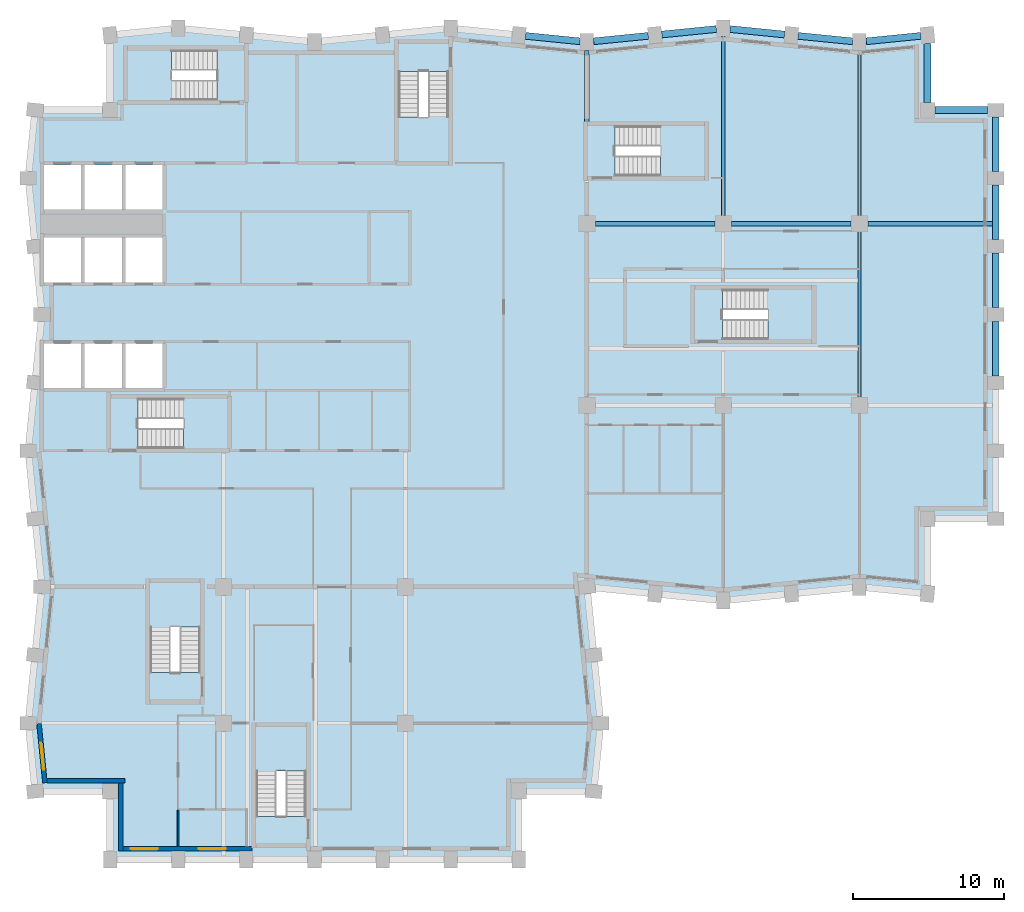
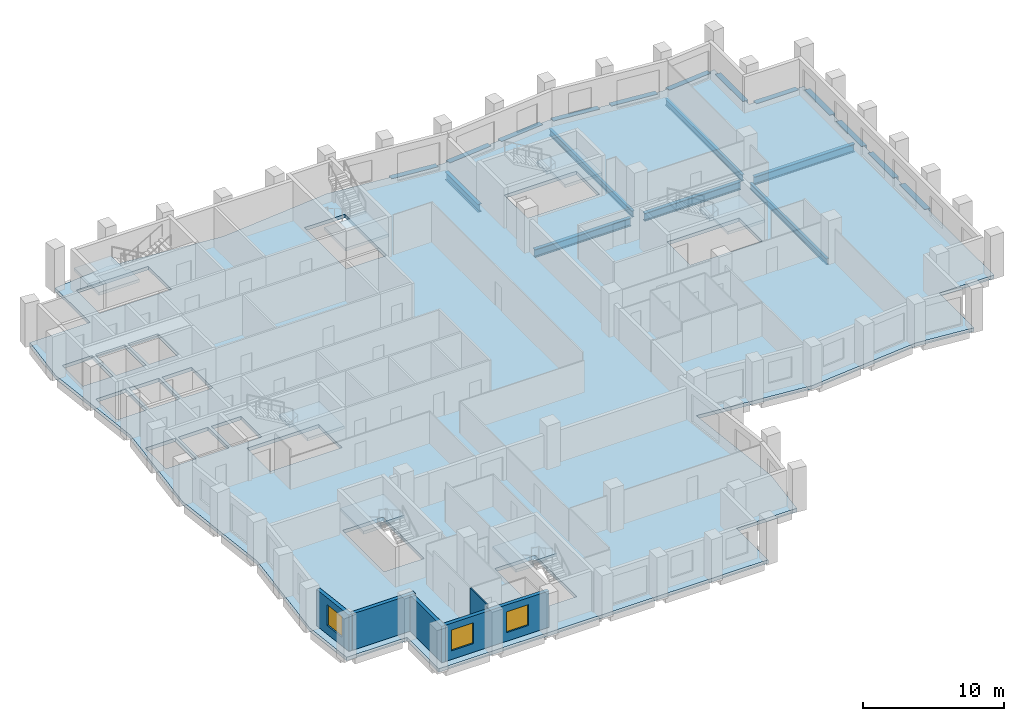
# One storey, part 2 of 10: 19 beams, 8 slabs, 5 walls, 3 windows, 3 openings, 7 elements without a shape of their own.
"""IFC4 building model written with IfcOpenShell, lengths in metres."""

from ifc_helpers import new_model, si_unit, direction, frame, frame_2d, origin, origin_2d, place, context, subcontext, project, spatial, polyline, rectangle, i_section, outline, extrude, material, layer, layer_set, material_profile, profile_set, type_object, element, fill, aggregate, save


model = new_model("IFC4")

# Units and contexts
model_context = context("Model", 3, precision=1e-05, world=origin(), true_north=direction((0.0, 1.0)))
body_context = subcontext(model_context, "Body", "Model", "MODEL_VIEW")
ifc_project = project(units=[si_unit("LENGTHUNIT", "METRE"), si_unit("AREAUNIT", "SQUARE_METRE"), si_unit("VOLUMEUNIT", "CUBIC_METRE"), si_unit("PLANEANGLEUNIT", "RADIAN"), si_unit("MASSUNIT", "GRAM", prefix="KILO")], contexts=[model_context])

# Site, building, storey
site_placement = place(None, origin())
site = spatial("IfcSite", under=ifc_project, at=site_placement, CompositionType="ELEMENT")
building_placement = place(site_placement, origin())
building = spatial("IfcBuilding", under=site, at=building_placement, Name="Brondeck Convention Tower", CompositionType="ELEMENT")
storey_placement = place(building_placement, frame((0.0, 0.0, 151.0)))
storey = spatial("IfcBuildingStorey", under=building, at=storey_placement, Name="L36", CompositionType="ELEMENT", Elevation=151.0)

# Beams
ifc_material_1 = material(Name="Steel S355", Category="steel")
ifc_material_profile_1 = material_profile(ifc_material_1, i_section(OverallWidth=0.2099609375, OverallDepth=0.550048828125, WebThickness=0.010986328125, FlangeThickness=0.01708984375, FilletRadius=0.02392578125, at=origin_2d()), Name="IPE 550")
ifc_profile_set_1 = profile_set([ifc_material_profile_1], Name="Steel S355")
beam_type_1 = type_object("IfcBeamType", Name="Floor beam IPE 550", PredefinedType="BEAM", material=ifc_profile_set_1)
beam_1_placement = place(storey_placement, frame((45.0, 51.550048828125, -0.574951171875), z_axis=(0.0, 1.0, 0.0), x_axis=(-1.0, 0.0, 0.0)))
element("IfcBeam", 1, at=beam_1_placement, inside=storey, type_object=beam_type_1, Name="STR-FB-L36-002", PredefinedType="BEAM", context=body_context, shape_type="SweptSolid", body=[
    extrude(i_section(OverallWidth=0.2099609375, OverallDepth=0.550048828125, WebThickness=0.010986328125, FlangeThickness=0.01708984375, FilletRadius=0.02392578125, at=origin_2d()), origin(), (0.0, 0.0, 1.0), 11.800048828125),
])
for number, where, z_axis, x_axis, name in (
    (2, (54.0, 39.550048828125, -0.574951171875), (0.0, 1.0, 0.0), (-1.0, 0.0, 0.0), "STR-FB-L36-004"),
    (3, (54.0, 51.550048828125, -0.574951171875), (0.0, 1.0, 0.0), (-1.0, 0.0, 0.0), "STR-FB-L36-005"),
):
    element("IfcBeam", number, at=place(storey_placement, frame(where, z_axis=z_axis, x_axis=x_axis)), inside=storey, type_object=beam_type_1, Name=name, PredefinedType="BEAM", context=body_context, shape_type="SweptSolid", body=[
        extrude(i_section(OverallWidth=0.2099609375, OverallDepth=0.550048828125, WebThickness=0.010986328125, FlangeThickness=0.01708984375, FilletRadius=0.02392578125, at=origin_2d()), origin(), (0.0, 0.0, 1.0), 10.89990234375),
    ])
ifc_material_profile_2 = material_profile(ifc_material_1, i_section(OverallWidth=0.300048828125, OverallDepth=0.699951171875, WebThickness=0.01708984375, FlangeThickness=0.031982421875, FilletRadius=0.027099609375, at=origin_2d()), Name="HEB 700")
ifc_profile_set_2 = profile_set([ifc_material_profile_2], Name="Steel S355")
beam_type_2 = type_object("IfcBeamType", Name="Girder HEB 700", PredefinedType="BEAM", material=ifc_profile_set_2)
for number, where, z_axis, x_axis, name in (
    (4, (36.550048828125, 51.0, -0.64990234375), (1.0, 0.0, 0.0), (0.0, 1.0, 0.0), "STR-GR-L36-004"),
    (5, (45.550048828125, 51.0, -0.64990234375), (1.0, 0.0, 0.0), (0.0, 1.0, 0.0), "STR-GR-L36-005"),
):
    element("IfcBeam", number, at=place(storey_placement, frame(where, z_axis=z_axis, x_axis=x_axis)), inside=storey, type_object=beam_type_2, Name=name, PredefinedType="BEAM", context=body_context, shape_type="SweptSolid", body=[
        extrude(i_section(OverallWidth=0.300048828125, OverallDepth=0.699951171875, WebThickness=0.01708984375, FlangeThickness=0.031982421875, FilletRadius=0.027099609375, at=origin_2d()), origin(), (0.0, 0.0, 1.0), 7.89990234375),
    ])
beam_2_placement = place(storey_placement, frame((54.550048828125, 51.0, -0.64990234375), z_axis=(1.0, 0.0, 0.0), x_axis=(0.0, 1.0, 0.0)))
element("IfcBeam", 6, at=beam_2_placement, inside=storey, type_object=beam_type_2, Name="STR-GR-L36-006", PredefinedType="BEAM", context=body_context, shape_type="SweptSolid", body=[
    extrude(i_section(OverallWidth=0.300048828125, OverallDepth=0.699951171875, WebThickness=0.01708984375, FlangeThickness=0.031982421875, FilletRadius=0.027099609375, at=origin_2d()), origin(), (0.0, 0.0, 1.0), 8.224853515625),
])
beam_3_placement = place(storey_placement, frame((36.0, 57.719970703125, -0.64990234375), z_axis=(0.0, 1.0, 0.0), x_axis=(-1.0, 0.0, 0.0)))
element("IfcBeam", 7, at=beam_3_placement, inside=storey, type_object=beam_type_2, Name="STR-GR-L36-010", PredefinedType="BEAM", context=body_context, shape_type="SweptSolid", body=[
    extrude(i_section(OverallWidth=0.300048828125, OverallDepth=0.699951171875, WebThickness=0.01708984375, FlangeThickness=0.031982421875, FilletRadius=0.027099609375, at=origin_2d()), origin(), (0.0, 0.0, 1.0), 4.72998046875),
])
ifc_material_2 = material(Name="Concrete C70/85", Category="concrete")
ifc_material_profile_3 = material_profile(ifc_material_2, rectangle(XDim=0.449951171875, YDim=0.64990234375, at=origin_2d()), Name="Precast spandrel 450x650 Concrete C70/85")
ifc_profile_set_3 = profile_set([ifc_material_profile_3], Name="Concrete C70/85")
beam_type_3 = type_object("IfcBeamType", Name="Precast spandrel 450x650 Concrete C70/85", PredefinedType="SPANDREL", material=ifc_profile_set_3)
for number, where, z_axis, x_axis, name in (
    (8, (63.0, 40.949951171875, -0.324951171875), (0.0, 1.0, 0.0), (-1.0, 0.0, 0.0), "STR-SP-L36-021"),
    (9, (63.0, 45.449951171875, -0.324951171875), (0.0, 1.0, 0.0), (-1.0, 0.0, 0.0), "STR-SP-L36-022"),
    (10, (63.0, 49.949951171875, -0.324951171875), (0.0, 1.0, 0.0), (-1.0, 0.0, 0.0), "STR-SP-L36-023"),
    (11, (63.0, 54.449951171875, -0.324951171875), (0.0, 1.0, 0.0), (-1.0, 0.0, 0.0), "STR-SP-L36-024"),
):
    element("IfcBeam", number, at=place(storey_placement, frame(where, z_axis=z_axis, x_axis=x_axis)), inside=storey, type_object=beam_type_3, Name=name, PredefinedType="SPANDREL", context=body_context, shape_type="SweptSolid", body=[
        extrude(rectangle(XDim=0.449951171875, YDim=0.64990234375, at=origin_2d()), origin(), (0.0, 0.0, 1.0), 3.60009765625),
    ])
beam_4_placement = place(storey_placement, frame((62.449951171875, 58.5, -0.324951171875), z_axis=(-1.0, 0.0, 0.0), x_axis=(0.0, -1.0, 0.0)))
element("IfcBeam", 12, at=beam_4_placement, inside=storey, type_object=beam_type_3, Name="STR-SP-L36-025", PredefinedType="SPANDREL", context=body_context, shape_type="SweptSolid", body=[
    extrude(rectangle(XDim=0.449951171875, YDim=0.64990234375, at=origin_2d()), origin(), (0.0, 0.0, 1.0), 3.449951171875),
])
beam_5_placement = place(storey_placement, frame((58.5, 59.0, -0.324951171875), z_axis=(0.0, 1.0, 0.0), x_axis=(-1.0, 0.0, 0.0)))
element("IfcBeam", 13, at=beam_5_placement, inside=storey, type_object=beam_type_3, Name="STR-SP-L36-026", PredefinedType="SPANDREL", context=body_context, shape_type="SweptSolid", body=[
    extrude(rectangle(XDim=0.449951171875, YDim=0.64990234375, at=origin_2d()), origin(), (0.0, 0.0, 1.0), 3.897216796875),
])
for number, where, z_axis, x_axis, name in (
    (14, (58.05224609375, 63.4052734375, -0.324951171875), (-0.995033851182, -0.099537103649, 0.0), (0.099537103649, -0.995033851182, 0.0), "STR-SP-L36-027"),
    (15, (53.550048828125, 63.044921875, -0.324951171875), (-0.995033851182, 0.099537103649, 0.0), (-0.099537103649, -0.995033851182, 0.0), "STR-SP-L36-028"),
    (16, (49.05224609375, 63.494873046875, -0.324951171875), (-0.995040528141, 0.099470334057, 0.0), (-0.099470334057, -0.995040528141, 0.0), "STR-SP-L36-029"),
    (17, (44.550048828125, 63.85498046875, -0.324951171875), (-0.995040528141, -0.099470334057, 0.0), (0.099470334057, -0.995040528141, 0.0), "STR-SP-L36-030"),
    (18, (40.05224609375, 63.4052734375, -0.324951171875), (-0.995033851182, -0.099537103649, 0.0), (0.099537103649, -0.995033851182, 0.0), "STR-SP-L36-031"),
    (19, (35.550048828125, 63.044921875, -0.324951171875), (-0.995033851182, 0.099537103649, 0.0), (-0.099537103649, -0.995033851182, 0.0), "STR-SP-L36-032"),
):
    element("IfcBeam", number, at=place(storey_placement, frame(where, z_axis=z_axis, x_axis=x_axis)), inside=storey, type_object=beam_type_3, Name=name, PredefinedType="SPANDREL", context=body_context, shape_type="SweptSolid", body=[
        extrude(rectangle(XDim=0.449951171875, YDim=0.64990234375, at=origin_2d()), origin(), (0.0, 0.0, 1.0), 3.620361328125),
    ])

# Slab
ifc_material_3 = material(Name="Concrete C35/45", Category="concrete")
ifc_layer_1 = layer(ifc_material_3, 0.300048828125)
ifc_layer_set_1 = layer_set([ifc_layer_1], Name="Composite floor slab 300")
slab_type_1 = type_object("IfcSlabType", Name="Composite floor slab 300", PredefinedType="FLOOR", material=ifc_layer_set_1)
slab_1_placement = place(storey_placement, frame((0.0, 0.0, -0.300048828125)))
element("IfcSlab", 20, at=slab_1_placement, inside=storey, type_object=slab_type_1, Name="STR-SL-L36", PredefinedType="FLOOR", context=body_context, shape_type="SweptSolid", body=[
    extrude(outline(polyline([(4.5, 13.5), (-0.449951171875, 13.5), (-0.89990234375, 18.0), (0.0, 27.0), (-0.89990234375, 36.0), (0.0, 45.0), (-0.89990234375, 54.0), (-0.449951171875, 58.5), (4.5, 58.5), (4.5, 63.449951171875), (9.0, 63.89990234375), (18.0, 63.0), (27.0, 63.89990234375), (36.0, 63.0), (45.0, 63.89990234375), (54.0, 63.0), (58.5, 63.449951171875), (58.5, 58.5), (63.0, 58.5), (63.0, 31.5), (58.5, 31.5), (58.5, 26.550048828125), (54.0, 27.0), (45.0, 26.10009765625), (36.0, 27.0), (36.89990234375, 18.0), (36.449951171875, 13.5), (31.5, 13.5), (31.5, 9.0), (4.5, 9.0), (4.5, 13.5)]), holes=[polyline([(2.574951171875, 40.125), (2.574951171875, 43.074951171875), (0.125, 43.074951171875), (0.125, 40.125), (2.574951171875, 40.125)]), polyline([(5.27490234375, 40.125), (5.27490234375, 43.074951171875), (2.824951171875, 43.074951171875), (2.824951171875, 40.125), (5.27490234375, 40.125)]), polyline([(7.97509765625, 40.125), (7.97509765625, 43.074951171875), (5.52490234375, 43.074951171875), (5.52490234375, 40.125), (7.97509765625, 40.125)]), polyline([(2.574951171875, 47.125), (2.574951171875, 50.074951171875), (0.125, 50.074951171875), (0.125, 47.125), (2.574951171875, 47.125)]), polyline([(5.27490234375, 47.125), (5.27490234375, 50.074951171875), (2.824951171875, 50.074951171875), (2.824951171875, 47.125), (5.27490234375, 47.125)]), polyline([(7.97509765625, 47.125), (7.97509765625, 50.074951171875), (5.52490234375, 50.074951171875), (5.52490234375, 47.125), (7.97509765625, 47.125)]), polyline([(2.574951171875, 51.925048828125), (2.574951171875, 54.875), (0.125, 54.875), (0.125, 51.925048828125), (2.574951171875, 51.925048828125)]), polyline([(5.27490234375, 51.925048828125), (5.27490234375, 54.875), (2.824951171875, 54.875), (2.824951171875, 51.925048828125), (5.27490234375, 51.925048828125)]), polyline([(17.447998046875, 17.748046875), (14.152099609375, 17.748046875), (14.152099609375, 11.85205078125), (17.447998046875, 11.85205078125), (17.447998046875, 17.748046875)]), polyline([(10.447998046875, 27.248046875), (7.152099609375, 27.248046875), (7.152099609375, 21.35205078125), (10.447998046875, 21.35205078125), (10.447998046875, 27.248046875)]), polyline([(12.248046875, 36.152099609375), (12.248046875, 39.447998046875), (6.35205078125, 39.447998046875), (6.35205078125, 36.152099609375), (12.248046875, 36.152099609375)]), polyline([(50.847900390625, 43.35205078125), (50.847900390625, 46.64794921875), (44.951904296875, 46.64794921875), (44.951904296875, 43.35205078125), (50.847900390625, 43.35205078125)]), polyline([(7.97509765625, 51.925048828125), (7.97509765625, 54.875), (5.52490234375, 54.875), (5.52490234375, 51.925048828125), (7.97509765625, 51.925048828125)]), polyline([(43.748046875, 54.152099609375), (43.748046875, 57.447998046875), (37.85205078125, 57.447998046875), (37.85205078125, 54.152099609375), (43.748046875, 54.152099609375)]), polyline([(23.552001953125, 55.152099609375), (26.847900390625, 55.152099609375), (26.847900390625, 61.048095703125), (23.552001953125, 61.048095703125), (23.552001953125, 55.152099609375)]), polyline([(5.652099609375, 62.447998046875), (5.652099609375, 59.152099609375), (11.548095703125, 59.152099609375), (11.548095703125, 62.447998046875), (5.652099609375, 62.447998046875)])]), origin(), (0.0, 0.0, 1.0), 0.300048828125),
])

# Stair, slab
ifc_material_4 = material(Name="Precast concrete C50/60", Category="concrete")
stair_type = type_object("IfcStairType", Name="Core stair 22 risers 172.73 mm riser 300 mm going 1350 wide", PredefinedType="HALF_TURN_STAIR", material=ifc_material_4)
stair_1_placement = place(storey_placement, origin())
stair_1 = element("IfcStair", 21, at=stair_1_placement, inside=storey, type_object=stair_type, Name="ST-1 L36 stair", PredefinedType="HALF_TURN_STAIR")
ifc_layer_2 = layer(ifc_material_4, 0.25)
ifc_layer_set_2 = layer_set([ifc_layer_2], Name="Core stair landing 250 Precast concrete C50/60")
slab_type_2 = type_object("IfcSlabType", Name="Core stair landing 250 Precast concrete C50/60", PredefinedType="LANDING", material=ifc_layer_set_2)
slab_2_placement = place(storey_placement, frame((0.0, 0.0, 1.64990234375)))
slab_2 = element("IfcSlab", 22, at=slab_2_placement, type_object=slab_type_2, Name="ST-1 landing 1", PredefinedType="LANDING", context=body_context, shape_type="SweptSolid", body=[
    extrude(outline(polyline([(9.347900390625, 37.5), (9.35009765625, 37.5), (9.35009765625, 38.10009765625), (9.050048828125, 38.10009765625), (9.050048828125, 39.570068359375), (12.3701171875, 39.570068359375), (12.3701171875, 36.030029296875), (9.347900390625, 36.030029296875), (9.347900390625, 37.5)])), origin(), (0.0, 0.0, 1.0), 0.25),
])
aggregate(stair_1, [slab_2])

stair_2_placement = place(storey_placement, origin())
stair_2 = element("IfcStair", 23, at=stair_2_placement, inside=storey, type_object=stair_type, Name="ST-2 L36 stair", PredefinedType="HALF_TURN_STAIR")
slab_3_placement = place(storey_placement, frame((0.0, 0.0, 1.64990234375)))
slab_3 = element("IfcSlab", 24, at=slab_3_placement, type_object=slab_type_2, Name="ST-2 landing 1", PredefinedType="LANDING", context=body_context, shape_type="SweptSolid", body=[
    extrude(outline(polyline([(23.429931640625, 58.052001953125), (24.89990234375, 58.052001953125), (24.89990234375, 58.050048828125), (25.5, 58.050048828125), (25.5, 58.35009765625), (26.969970703125, 58.35009765625), (26.969970703125, 55.030029296875), (23.429931640625, 55.030029296875), (23.429931640625, 58.052001953125)])), origin(), (0.0, 0.0, 1.0), 0.25),
])
aggregate(stair_2, [slab_3])

stair_3_placement = place(storey_placement, origin())
stair_3 = element("IfcStair", 25, at=stair_3_placement, inside=storey, type_object=stair_type, Name="ST-3 L36 stair", PredefinedType="HALF_TURN_STAIR")
slab_4_placement = place(storey_placement, frame((0.0, 0.0, 1.64990234375)))
slab_4 = element("IfcSlab", 26, at=slab_4_placement, type_object=slab_type_2, Name="ST-3 landing 1", PredefinedType="LANDING", context=body_context, shape_type="SweptSolid", body=[
    extrude(outline(polyline([(8.85009765625, 60.5), (8.85009765625, 59.030029296875), (5.530029296875, 59.030029296875), (5.530029296875, 62.570068359375), (8.552001953125, 62.570068359375), (8.552001953125, 61.10009765625), (8.550048828125, 61.10009765625), (8.550048828125, 60.5), (8.85009765625, 60.5)])), origin(), (0.0, 0.0, 1.0), 0.25),
])
aggregate(stair_3, [slab_4])

stair_4_placement = place(storey_placement, origin())
stair_4 = element("IfcStair", 27, at=stair_4_placement, inside=storey, type_object=stair_type, Name="ST-AE L36 stair", PredefinedType="HALF_TURN_STAIR")
slab_5_placement = place(storey_placement, frame((0.0, 0.0, 1.64990234375)))
slab_5 = element("IfcSlab", 28, at=slab_5_placement, type_object=slab_type_2, Name="ST-AE landing 1", PredefinedType="LANDING", context=body_context, shape_type="SweptSolid", body=[
    extrude(outline(polyline([(40.847900390625, 55.5), (40.85009765625, 55.5), (40.85009765625, 56.10009765625), (40.550048828125, 56.10009765625), (40.550048828125, 57.570068359375), (43.8701171875, 57.570068359375), (43.8701171875, 54.030029296875), (40.847900390625, 54.030029296875), (40.847900390625, 55.5)])), origin(), (0.0, 0.0, 1.0), 0.25),
])
aggregate(stair_4, [slab_5])

stair_5_placement = place(storey_placement, origin())
stair_5 = element("IfcStair", 29, at=stair_5_placement, inside=storey, type_object=stair_type, Name="ST-BE L36 stair", PredefinedType="HALF_TURN_STAIR")
slab_6_placement = place(storey_placement, frame((0.0, 0.0, 1.64990234375)))
slab_6 = element("IfcSlab", 30, at=slab_6_placement, type_object=slab_type_2, Name="ST-BE landing 1", PredefinedType="LANDING", context=body_context, shape_type="SweptSolid", body=[
    extrude(outline(polyline([(7.030029296875, 24.050048828125), (7.030029296875, 27.3701171875), (10.570068359375, 27.3701171875), (10.570068359375, 24.347900390625), (9.10009765625, 24.347900390625), (9.10009765625, 24.35009765625), (8.5, 24.35009765625), (8.5, 24.050048828125), (7.030029296875, 24.050048828125)])), origin(), (0.0, 0.0, 1.0), 0.25),
])
aggregate(stair_5, [slab_6])

stair_6_placement = place(storey_placement, origin())
stair_6 = element("IfcStair", 31, at=stair_6_placement, inside=storey, type_object=stair_type, Name="ST-AF L36 stair", PredefinedType="HALF_TURN_STAIR")
slab_7_placement = place(storey_placement, frame((0.0, 0.0, 1.64990234375)))
slab_7 = element("IfcSlab", 32, at=slab_7_placement, type_object=slab_type_2, Name="ST-AF landing 1", PredefinedType="LANDING", context=body_context, shape_type="SweptSolid", body=[
    extrude(outline(polyline([(47.947998046875, 44.699951171875), (47.949951171875, 44.699951171875), (47.949951171875, 45.300048828125), (47.64990234375, 45.300048828125), (47.64990234375, 46.77001953125), (50.969970703125, 46.77001953125), (50.969970703125, 43.22998046875), (47.947998046875, 43.22998046875), (47.947998046875, 44.699951171875)])), origin(), (0.0, 0.0, 1.0), 0.25),
])
aggregate(stair_6, [slab_7])

stair_7_placement = place(storey_placement, origin())
stair_7 = element("IfcStair", 33, at=stair_7_placement, inside=storey, type_object=stair_type, Name="ST-BF L36 stair", PredefinedType="HALF_TURN_STAIR")
slab_8_placement = place(storey_placement, frame((0.0, 0.0, 1.64990234375)))
slab_8 = element("IfcSlab", 34, at=slab_8_placement, type_object=slab_type_2, Name="ST-BF landing 1", PredefinedType="LANDING", context=body_context, shape_type="SweptSolid", body=[
    extrude(outline(polyline([(14.030029296875, 14.550048828125), (14.030029296875, 17.8701171875), (17.570068359375, 17.8701171875), (17.570068359375, 14.847900390625), (16.10009765625, 14.847900390625), (16.10009765625, 14.85009765625), (15.5, 14.85009765625), (15.5, 14.550048828125), (14.030029296875, 14.550048828125)])), origin(), (0.0, 0.0, 1.0), 0.25),
])
aggregate(stair_7, [slab_8])

# Wall, openings, windows
ifc_material_5 = material(Name="Precast concrete C50/60 bronze finish", Category="concrete")
ifc_layer_3 = layer(ifc_material_5, 0.070068359375, Name="Bronze precast facing")
ifc_material_6 = material(Name="Mineral wool")
ifc_layer_4 = layer(ifc_material_6, 0.159912109375, Name="Insulation")
ifc_layer_5 = layer(ifc_material_3, 0.070068359375, Name="Backing")
ifc_layer_set_3 = layer_set([ifc_layer_3, ifc_layer_4, ifc_layer_5], Name="External infill wall, precast concrete C50/60 bronze facing")
wall_type_1 = type_object("IfcWallType", Name="External infill wall, precast concrete C50/60 bronze facing", PredefinedType="SOLIDWALL", material=ifc_layer_set_3)
wall_1_placement = place(storey_placement, frame((13.860107421875, 9.699951171875, 0.0), z_axis=(0.0, 0.0, 1.0), x_axis=(-1.0, 0.0, 0.0)))
wall_1 = element("IfcWall", 35, at=wall_1_placement, inside=storey, type_object=wall_type_1, Name="ENV-EW-L36-P1-B-S9-01", PredefinedType="SOLIDWALL", context=body_context, shape_type="SweptSolid", body=[
    extrude(rectangle(XDim=8.510009765625, YDim=0.300048828125, at=frame_2d((4.2548828125, 0.0))), origin(), (0.0, 0.0, 1.0), 3.14990234375),
])
opening_1_placement = place(wall_1_placement, frame((1.7099609375, 0.0, 0.75)))
opening_1 = element("IfcOpeningElement", 36, at=opening_1_placement, cuts=wall_1, Name="Opening W10", PredefinedType="OPENING", context=body_context, shape_type="SweptSolid", body=[
    extrude(rectangle(XDim=1.800048828125, YDim=1.800048828125, at=frame_2d((0.89990234375, 0.89990234375))), frame((0.0, 0.159912109375, 0.0), z_axis=(0.0, -1.0, 0.0), x_axis=(1.0, 0.0, 0.0)), (0.0, 0.0, 1.0), 0.320068359375),
])
opening_2_placement = place(wall_1_placement, frame((6.2099609375, 0.0, 0.75)))
opening_2 = element("IfcOpeningElement", 37, at=opening_2_placement, cuts=wall_1, Name="Opening W10", PredefinedType="OPENING", context=body_context, shape_type="SweptSolid", body=[
    extrude(rectangle(XDim=1.800048828125, YDim=1.800048828125, at=frame_2d((0.89990234375, 0.89990234375))), frame((0.0, 0.159912109375, 0.0), z_axis=(0.0, -1.0, 0.0), x_axis=(1.0, 0.0, 0.0)), (0.0, 0.0, 1.0), 0.320068359375),
])
ifc_material_7 = material(Name="Bronze tinted double glazing", Category="glass")
window_type = type_object("IfcWindowType", Name="Punched window, bronze tinted", PartitioningType="SINGLE_PANEL", PredefinedType="WINDOW", material=ifc_material_7)
window_1_placement = place(opening_1_placement, origin())
window_1 = element("IfcWindow", 38, at=window_1_placement, inside=storey, type_object=window_type, Name="ENV-WN-L36-P1-B-S9-02", OverallHeight=1.800048828125, OverallWidth=1.800048828125, PartitioningType="SINGLE_PANEL", PredefinedType="WINDOW", context=body_context, shape_type="SweptSolid", body=[
    extrude(rectangle(XDim=1.800048828125, YDim=1.800048828125, at=frame_2d((0.89990234375, 0.89990234375))), frame((0.0, 0.030029296875, 0.0), z_axis=(0.0, -1.0, 0.0), x_axis=(1.0, 0.0, 0.0)), (0.0, 0.0, 1.0), 0.06005859375),
])
fill(opening_1, window_1)
window_2_placement = place(opening_2_placement, origin())
window_2 = element("IfcWindow", 39, at=window_2_placement, inside=storey, type_object=window_type, Name="ENV-WN-L36-P1-B-S9-01", OverallHeight=1.800048828125, OverallWidth=1.800048828125, PartitioningType="SINGLE_PANEL", PredefinedType="WINDOW", context=body_context, shape_type="SweptSolid", body=[
    extrude(rectangle(XDim=1.800048828125, YDim=1.800048828125, at=frame_2d((0.89990234375, 0.89990234375))), frame((0.0, 0.030029296875, 0.0), z_axis=(0.0, -1.0, 0.0), x_axis=(1.0, 0.0, 0.0)), (0.0, 0.0, 1.0), 0.06005859375),
])
fill(opening_2, window_2)

# Wall, opening, window
wall_2_placement = place(storey_placement, frame((0.197021484375, 14.06494140625, 0.0), z_axis=(0.0, 0.0, 1.0), x_axis=(-0.099528354722, 0.995034726332, 0.0)))
wall_2 = element("IfcWall", 40, at=wall_2_placement, inside=storey, type_object=wall_type_1, Name="ENV-EW-L36-P1-B-W-10", PredefinedType="SOLIDWALL", context=body_context, shape_type="SweptSolid", body=[
    extrude(rectangle(XDim=3.9248046875, YDim=0.300048828125, at=frame_2d((1.96240234375, 0.0))), origin(), (0.0, 0.0, 1.0), 3.14990234375),
])
opening_3_placement = place(wall_2_placement, frame((0.863525390625, 0.0, 0.75)))
opening_3 = element("IfcOpeningElement", 41, at=opening_3_placement, cuts=wall_2, Name="Opening W10", PredefinedType="OPENING", context=body_context, shape_type="SweptSolid", body=[
    extrude(rectangle(XDim=1.800048828125, YDim=1.800048828125, at=frame_2d((0.89990234375, 0.89990234375))), frame((0.0, 0.159912109375, 0.0), z_axis=(0.0, -1.0, 0.0), x_axis=(1.0, 0.0, 0.0)), (0.0, 0.0, 1.0), 0.320068359375),
])
window_3_placement = place(opening_3_placement, origin())
window_3 = element("IfcWindow", 42, at=window_3_placement, inside=storey, type_object=window_type, Name="ENV-WN-L36-P1-B-W-10", OverallHeight=1.800048828125, OverallWidth=1.800048828125, PartitioningType="SINGLE_PANEL", PredefinedType="WINDOW", context=body_context, shape_type="SweptSolid", body=[
    extrude(rectangle(XDim=1.800048828125, YDim=1.800048828125, at=frame_2d((0.89990234375, 0.89990234375))), frame((0.0, 0.030029296875, 0.0), z_axis=(0.0, -1.0, 0.0), x_axis=(1.0, 0.0, 0.0)), (0.0, 0.0, 1.0), 0.06005859375),
])
fill(opening_3, window_3)

# Walls
wall_3_placement = place(storey_placement, frame((5.5, 14.199951171875, 0.0), z_axis=(0.0, 0.0, 1.0), x_axis=(-1.0, 0.0, 0.0)))
element("IfcWall", 43, at=wall_3_placement, inside=storey, type_object=wall_type_1, Name="ENV-EW-L36-P1-NC-SWB9-01", PredefinedType="SOLIDWALL", context=body_context, shape_type="SweptSolid", body=[
    extrude(rectangle(XDim=5.16455078125, YDim=0.300048828125, at=frame_2d((2.582275390625, 0.0))), origin(), (0.0, 0.0, 1.0), 3.14990234375),
])
wall_4_placement = place(storey_placement, frame((5.199951171875, 9.550048828125, 0.0), z_axis=(0.0, 0.0, 1.0), x_axis=(0.0, 1.0, 0.0)))
element("IfcWall", 44, at=wall_4_placement, inside=storey, type_object=wall_type_1, Name="ENV-EW-L36-P1-NC-SWB9-02", PredefinedType="SOLIDWALL", context=body_context, shape_type="SweptSolid", body=[
    extrude(rectangle(XDim=4.501953125, YDim=0.300048828125, at=frame_2d((2.2509765625, 0.0))), origin(), (0.0, 0.0, 1.0), 3.14990234375),
])
ifc_material_8 = material(Name="Gypsum board partition on steel studs", Category="steel")
ifc_layer_6 = layer(ifc_material_8, 0.10009765625)
ifc_layer_set_4 = layer_set([ifc_layer_6], Name="Room partition 100")
wall_type_2 = type_object("IfcWallType", Name="Room partition 100", PredefinedType="PARTITIONING", material=ifc_layer_set_4)
wall_5_placement = place(storey_placement, frame((9.0, 9.8701171875, 0.0), z_axis=(0.0, 0.0, 1.0), x_axis=(0.0, 1.0, 0.0)))
element("IfcWall", 45, at=wall_5_placement, inside=storey, type_object=wall_type_2, Name="FLR-L36-W001", PredefinedType="PARTITIONING", context=body_context, shape_type="SweptSolid", body=[
    extrude(rectangle(XDim=2.3798828125, YDim=0.10009765625, at=frame_2d((1.18994140625, 0.0))), origin(), (0.0, 0.0, 1.0), 3.47998046875),
])

save(model, "model.ifc")
